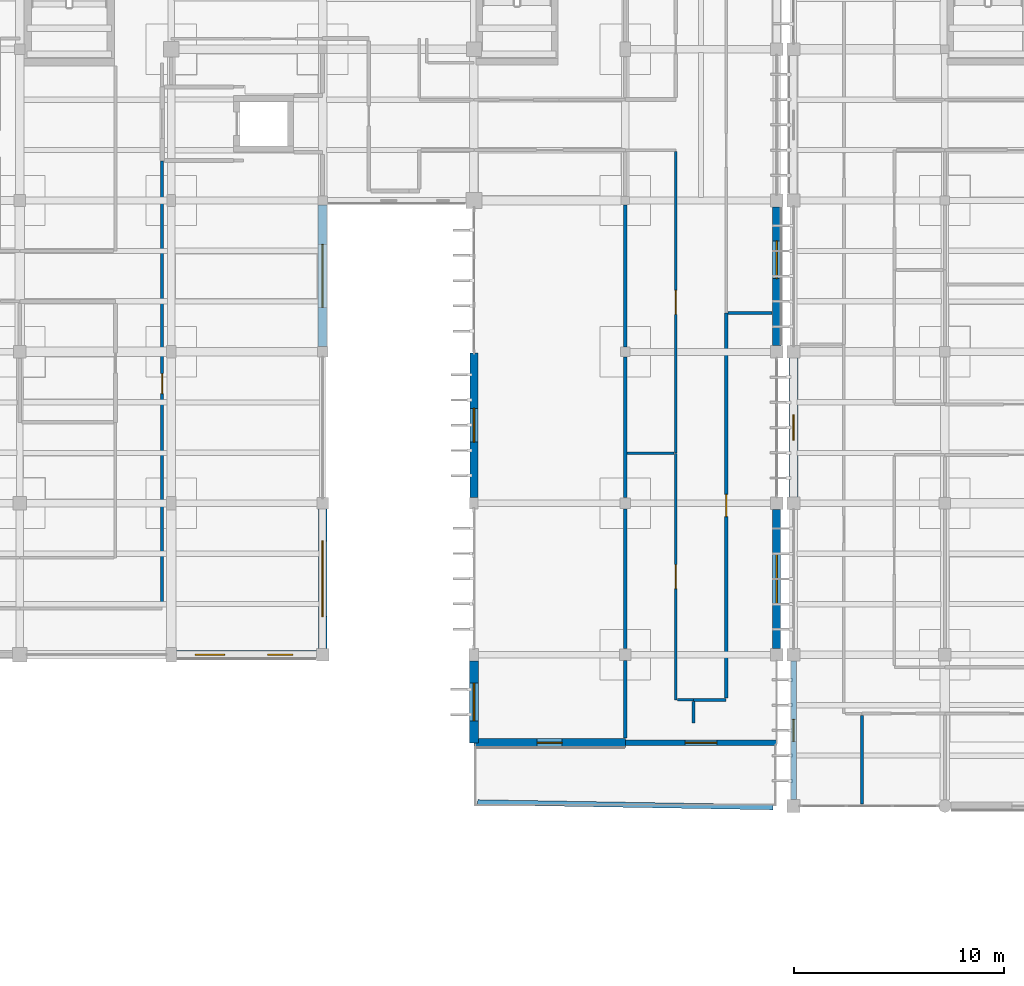
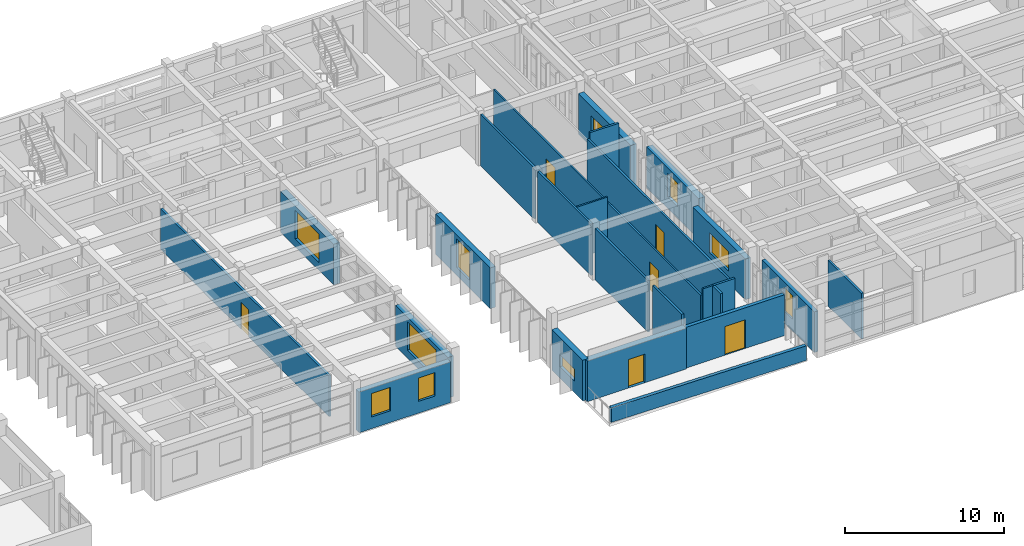
# One storey, part 35 of 55: 26 walls, 10 windows, 6 doors, 16 openings.
"""IFC4 building model written with IfcOpenShell, lengths in metres."""

from ifc_helpers import new_model, si_unit, direction, frame, frame_2d, origin, place, context, subcontext, project, spatial, rectangle, extrude, material, layer, layer_set, type_object, element, fill, save


model = new_model("IFC4")

# Units and contexts
model_context = context("Model", 3, precision=1e-05, world=origin(), true_north=direction((0.0, 1.0)))
body_context = subcontext(model_context, "Body", "Model", "MODEL_VIEW")
ifc_project = project(units=[si_unit("LENGTHUNIT", "METRE"), si_unit("AREAUNIT", "SQUARE_METRE"), si_unit("VOLUMEUNIT", "CUBIC_METRE"), si_unit("PLANEANGLEUNIT", "RADIAN"), si_unit("MASSUNIT", "GRAM", prefix="KILO")], contexts=[model_context])

# Site, building, storey
site_placement = place(None, origin())
site = spatial("IfcSite", under=ifc_project, at=site_placement, CompositionType="ELEMENT")
building_placement = place(site_placement, origin())
building = spatial("IfcBuilding", under=site, at=building_placement, Name="Steenspoor Specialist Clinic", CompositionType="ELEMENT")
storey_placement = place(building_placement, frame((0.0, 0.0, 13.199951171875)))
storey = spatial("IfcBuildingStorey", under=building, at=storey_placement, Name="L03", CompositionType="ELEMENT", Elevation=13.199951171875)

# Wall, opening, window
ifc_material_1 = material(Name="Extruded clay brick masonry", Category="masonry")
ifc_layer_1 = layer(ifc_material_1, 0.3798828125)
ifc_layer_set_1 = layer_set([ifc_layer_1], Name="Extruded clay brick masonry")
wall_type_1 = type_object("IfcWallType", Name="W-BRICK-380", PredefinedType="USERDEFINED", material=ifc_layer_set_1)
wall_1_placement = place(storey_placement, frame((117.199951171875, 79.25, 0.0), z_axis=(0.0, 0.0, 1.0), x_axis=(0.0, -1.0, 0.0)))
wall_1 = element("IfcWall", 1, at=wall_1_placement, inside=storey, type_object=wall_type_1, Name="Exterior Brick Wall EW-V4-L03-0175", ObjectType="CAVITY VENEER", PredefinedType="USERDEFINED", context=body_context, shape_type="SweptSolid", body=[
    extrude(rectangle(XDim=6.60009765625, YDim=0.3798828125, at=frame_2d((3.300048828125, 0.0))), origin(), (0.0, 0.0, 1.0), 3.130126953125),
])
opening_1_placement = place(wall_1_placement, frame((2.10009765625, 0.0, 0.89990234375)))
opening_1 = element("IfcOpeningElement", 2, at=opening_1_placement, cuts=wall_1, Name="Opening WN-14", PredefinedType="OPENING", context=body_context, shape_type="SweptSolid", body=[
    extrude(rectangle(XDim=2.39990234375, YDim=1.5, at=frame_2d((1.199951171875, 0.75))), frame((0.0, 0.199951171875, 0.0), z_axis=(0.0, -1.0, 0.0), x_axis=(1.0, 0.0, 0.0)), (0.0, 0.0, 1.0), 0.39990234375),
])
ifc_material_2 = material(Name="Thermally broken aluminium and low-emissivity glass", Category="aluminium")
window_type_1 = type_object("IfcWindowType", Name="WN-EXT-240X150", PartitioningType="SINGLE_PANEL", PredefinedType="WINDOW", material=ifc_material_2)
window_1_placement = place(opening_1_placement, origin())
window_1 = element("IfcWindow", 3, at=window_1_placement, inside=storey, type_object=window_type_1, Name="Window 0203", OverallHeight=1.5, OverallWidth=2.39990234375, PartitioningType="SINGLE_PANEL", PredefinedType="WINDOW", context=body_context, shape_type="SweptSolid", body=[
    extrude(rectangle(XDim=2.39990234375, YDim=1.5, at=frame_2d((1.199951171875, 0.75))), frame((0.0, 0.030029296875, 0.0), z_axis=(0.0, -1.0, 0.0), x_axis=(1.0, 0.0, 0.0)), (0.0, 0.0, 1.0), 0.06005859375),
])
fill(opening_1, window_1)

wall_2_placement = place(storey_placement, frame((102.800048828125, 79.824951171875, 0.0), z_axis=(0.0, 0.0, 1.0), x_axis=(0.0, 1.0, 0.0)))
wall_2 = element("IfcWall", 4, at=wall_2_placement, inside=storey, type_object=wall_type_1, Name="Exterior Brick Wall EW-V4-L03-0179", ObjectType="CAVITY VENEER", PredefinedType="USERDEFINED", context=body_context, shape_type="SweptSolid", body=[
    extrude(rectangle(XDim=6.875, YDim=0.3798828125, at=frame_2d((3.4375, 0.0))), origin(), (0.0, 0.0, 1.0), 3.130126953125),
])
opening_2_placement = place(wall_2_placement, frame((2.637451171875, 0.0, 0.60009765625)))
opening_2 = element("IfcOpeningElement", 5, at=opening_2_placement, cuts=wall_2, Name="Opening WN-16", PredefinedType="OPENING", context=body_context, shape_type="SweptSolid", body=[
    extrude(rectangle(XDim=1.60009765625, YDim=2.199951171875, at=frame_2d((0.800048828125, 1.10009765625))), frame((0.0, 0.199951171875, 0.0), z_axis=(0.0, -1.0, 0.0), x_axis=(1.0, 0.0, 0.0)), (0.0, 0.0, 1.0), 0.39990234375),
])
window_type_2 = type_object("IfcWindowType", Name="WN-EXT-160X220", PartitioningType="SINGLE_PANEL", PredefinedType="WINDOW", material=ifc_material_2)
window_2_placement = place(opening_2_placement, origin())
window_2 = element("IfcWindow", 6, at=window_2_placement, inside=storey, type_object=window_type_2, Name="Window 0205", OverallHeight=2.199951171875, OverallWidth=1.60009765625, PartitioningType="SINGLE_PANEL", PredefinedType="WINDOW", context=body_context, shape_type="SweptSolid", body=[
    extrude(rectangle(XDim=1.60009765625, YDim=2.199951171875, at=frame_2d((0.800048828125, 1.10009765625))), frame((0.0, 0.030029296875, 0.0), z_axis=(0.0, -1.0, 0.0), x_axis=(1.0, 0.0, 0.0)), (0.0, 0.0, 1.0), 0.06005859375),
])
fill(opening_2, window_2)

# Wall, openings, windows
wall_3_placement = place(storey_placement, frame((95.300048828125, 72.35009765625, 0.0), z_axis=(0.0, 0.0, 1.0), x_axis=(-1.0, 0.0, 0.0)))
wall_3 = element("IfcWall", 7, at=wall_3_placement, inside=storey, type_object=wall_type_1, Name="Exterior Brick Wall EW-V4-L03-0183", ObjectType="CAVITY VENEER", PredefinedType="USERDEFINED", context=body_context, shape_type="SweptSolid", body=[
    extrude(rectangle(XDim=6.650146484375, YDim=0.3798828125, at=frame_2d((3.3251953125, 0.0))), origin(), (0.0, 0.0, 1.0), 3.130126953125),
])
opening_3_placement = place(wall_3_placement, frame((1.114990234375, 0.0, 0.89990234375)))
opening_3 = element("IfcOpeningElement", 8, at=opening_3_placement, cuts=wall_3, Name="Opening WN-05", PredefinedType="OPENING", context=body_context, shape_type="SweptSolid", body=[
    extrude(rectangle(XDim=1.199951171875, YDim=1.800048828125, at=frame_2d((0.60009765625, 0.89990234375))), frame((0.0, 0.199951171875, 0.0), z_axis=(0.0, -1.0, 0.0), x_axis=(1.0, 0.0, 0.0)), (0.0, 0.0, 1.0), 0.39990234375),
])
opening_4_placement = place(wall_3_placement, frame((4.360107421875, 0.0, 0.89990234375)))
opening_4 = element("IfcOpeningElement", 9, at=opening_4_placement, cuts=wall_3, Name="Opening WN-06", PredefinedType="OPENING", context=body_context, shape_type="SweptSolid", body=[
    extrude(rectangle(XDim=1.39990234375, YDim=1.800048828125, at=frame_2d((0.699951171875, 0.89990234375))), frame((0.0, 0.199951171875, 0.0), z_axis=(0.0, -1.0, 0.0), x_axis=(1.0, 0.0, 0.0)), (0.0, 0.0, 1.0), 0.39990234375),
])
window_type_3 = type_object("IfcWindowType", Name="WN-EXT-120X180", PartitioningType="SINGLE_PANEL", PredefinedType="WINDOW", material=ifc_material_2)
window_3_placement = place(opening_3_placement, origin())
window_3 = element("IfcWindow", 10, at=window_3_placement, inside=storey, type_object=window_type_3, Name="Window 0210", OverallHeight=1.800048828125, OverallWidth=1.199951171875, PartitioningType="SINGLE_PANEL", PredefinedType="WINDOW", context=body_context, shape_type="SweptSolid", body=[
    extrude(rectangle(XDim=1.199951171875, YDim=1.800048828125, at=frame_2d((0.60009765625, 0.89990234375))), frame((0.0, 0.030029296875, 0.0), z_axis=(0.0, -1.0, 0.0), x_axis=(1.0, 0.0, 0.0)), (0.0, 0.0, 1.0), 0.06005859375),
])
fill(opening_3, window_3)
window_type_4 = type_object("IfcWindowType", Name="WN-EXT-140X180", PartitioningType="SINGLE_PANEL", PredefinedType="WINDOW", material=ifc_material_2)
window_4_placement = place(opening_4_placement, origin())
window_4 = element("IfcWindow", 11, at=window_4_placement, inside=storey, type_object=window_type_4, Name="Window 0211", OverallHeight=1.800048828125, OverallWidth=1.39990234375, PartitioningType="SINGLE_PANEL", PredefinedType="WINDOW", context=body_context, shape_type="SweptSolid", body=[
    extrude(rectangle(XDim=1.39990234375, YDim=1.800048828125, at=frame_2d((0.699951171875, 0.89990234375))), frame((0.0, 0.030029296875, 0.0), z_axis=(0.0, -1.0, 0.0), x_axis=(1.0, 0.0, 0.0)), (0.0, 0.0, 1.0), 0.06005859375),
])
fill(opening_4, window_4)

# Wall, opening, window
ifc_layer_2 = layer(ifc_material_1, 0.409912109375)
ifc_layer_set_2 = layer_set([ifc_layer_2], Name="Extruded clay brick masonry")
wall_type_2 = type_object("IfcWallType", Name="W-BRICK-410", PredefinedType="USERDEFINED", material=ifc_layer_set_2)
wall_4_placement = place(storey_placement, frame((117.199951171875, 93.64990234375, 0.0), z_axis=(0.0, 0.0, 1.0), x_axis=(0.0, -1.0, 0.0)))
wall_4 = element("IfcWall", 12, at=wall_4_placement, inside=storey, type_object=wall_type_2, Name="Exterior Brick Wall EW-V4-L03-0174", ObjectType="CAVITY VENEER", PredefinedType="USERDEFINED", context=body_context, shape_type="SweptSolid", body=[
    extrude(rectangle(XDim=6.599853515625, YDim=0.409912109375, at=frame_2d((3.2998046875, 0.0))), origin(), (0.0, 0.0, 1.0), 3.130126953125),
])
opening_5_placement = place(wall_4_placement, frame((1.614990234375, 0.0, 0.89990234375)))
opening_5 = element("IfcOpeningElement", 13, at=opening_5_placement, cuts=wall_4, Name="Opening WN-13", PredefinedType="OPENING", context=body_context, shape_type="SweptSolid", body=[
    extrude(rectangle(XDim=1.800048828125, YDim=1.5, at=frame_2d((0.89990234375, 0.75))), frame((0.0, 0.21484375, 0.0), z_axis=(0.0, -1.0, 0.0), x_axis=(1.0, 0.0, 0.0)), (0.0, 0.0, 1.0), 0.429931640625),
])
window_type_5 = type_object("IfcWindowType", Name="WN-EXT-180X150", PartitioningType="SINGLE_PANEL", PredefinedType="WINDOW", material=ifc_material_2)
window_5_placement = place(opening_5_placement, origin())
window_5 = element("IfcWindow", 14, at=window_5_placement, inside=storey, type_object=window_type_5, Name="Window 0202", OverallHeight=1.5, OverallWidth=1.800048828125, PartitioningType="SINGLE_PANEL", PredefinedType="WINDOW", context=body_context, shape_type="SweptSolid", body=[
    extrude(rectangle(XDim=1.800048828125, YDim=1.5, at=frame_2d((0.89990234375, 0.75))), frame((0.0, 0.030029296875, 0.0), z_axis=(0.0, -1.0, 0.0), x_axis=(1.0, 0.0, 0.0)), (0.0, 0.0, 1.0), 0.06005859375),
])
fill(opening_5, window_5)

wall_5_placement = place(storey_placement, frame((102.800048828125, 68.14990234375, 0.0), z_axis=(0.0, 0.0, 1.0), x_axis=(0.0, 1.0, 0.0)))
wall_5 = element("IfcWall", 15, at=wall_5_placement, inside=storey, type_object=wall_type_2, Name="Exterior Brick Wall EW-V4-L03-0178", ObjectType="CAVITY VENEER", PredefinedType="USERDEFINED", context=body_context, shape_type="SweptSolid", body=[
    extrude(rectangle(XDim=3.900146484375, YDim=0.409912109375, at=frame_2d((1.9501953125, 0.0))), origin(), (0.0, 0.0, 1.0), 3.130126953125),
])
opening_6_placement = place(wall_5_placement, frame((1.050048828125, 0.0, 0.89990234375)))
opening_6 = element("IfcOpeningElement", 16, at=opening_6_placement, cuts=wall_5, Name="Opening WN-22", PredefinedType="OPENING", context=body_context, shape_type="SweptSolid", body=[
    extrude(rectangle(XDim=1.800048828125, YDim=0.89990234375, at=frame_2d((0.89990234375, 0.449951171875))), frame((0.0, 0.21484375, 0.0), z_axis=(0.0, -1.0, 0.0), x_axis=(1.0, 0.0, 0.0)), (0.0, 0.0, 1.0), 0.429931640625),
])
window_type_6 = type_object("IfcWindowType", Name="WN-EXT-180X090", PartitioningType="SINGLE_PANEL", PredefinedType="WINDOW", material=ifc_material_2)
window_6_placement = place(opening_6_placement, origin())
window_6 = element("IfcWindow", 17, at=window_6_placement, inside=storey, type_object=window_type_6, Name="Window 0204", OverallHeight=0.89990234375, OverallWidth=1.800048828125, PartitioningType="SINGLE_PANEL", PredefinedType="WINDOW", context=body_context, shape_type="SweptSolid", body=[
    extrude(rectangle(XDim=1.800048828125, YDim=0.89990234375, at=frame_2d((0.89990234375, 0.449951171875))), frame((0.0, 0.030029296875, 0.0), z_axis=(0.0, -1.0, 0.0), x_axis=(1.0, 0.0, 0.0)), (0.0, 0.0, 1.0), 0.06005859375),
])
fill(opening_6, window_6)

wall_6_placement = place(storey_placement, frame((95.60009765625, 79.27490234375, 0.0), z_axis=(0.0, 0.0, 1.0), x_axis=(0.0, -1.0, 0.0)))
wall_6 = element("IfcWall", 18, at=wall_6_placement, inside=storey, type_object=wall_type_2, Name="Exterior Brick Wall EW-V4-L03-0182", ObjectType="CAVITY VENEER", PredefinedType="USERDEFINED", context=body_context, shape_type="SweptSolid", body=[
    extrude(rectangle(XDim=6.625, YDim=0.409912109375, at=frame_2d((3.3125, 0.0))), origin(), (0.0, 0.0, 1.0), 3.130126953125),
])
opening_7_placement = place(wall_6_placement, frame((1.512451171875, 0.0, 0.60009765625)))
opening_7 = element("IfcOpeningElement", 19, at=opening_7_placement, cuts=wall_6, Name="Opening WN-20", PredefinedType="OPENING", context=body_context, shape_type="SweptSolid", body=[
    extrude(rectangle(XDim=3.60009765625, YDim=2.199951171875, at=frame_2d((1.800048828125, 1.10009765625))), frame((0.0, 0.21484375, 0.0), z_axis=(0.0, -1.0, 0.0), x_axis=(1.0, 0.0, 0.0)), (0.0, 0.0, 1.0), 0.429931640625),
])
window_type_7 = type_object("IfcWindowType", Name="WN-EXT-360X220", PartitioningType="SINGLE_PANEL", PredefinedType="WINDOW", material=ifc_material_2)
window_7_placement = place(opening_7_placement, origin())
window_7 = element("IfcWindow", 20, at=window_7_placement, inside=storey, type_object=window_type_7, Name="Window 0209", OverallHeight=2.199951171875, OverallWidth=3.60009765625, PartitioningType="SINGLE_PANEL", PredefinedType="WINDOW", context=body_context, shape_type="SweptSolid", body=[
    extrude(rectangle(XDim=3.60009765625, YDim=2.199951171875, at=frame_2d((1.800048828125, 1.10009765625))), frame((0.0, 0.030029296875, 0.0), z_axis=(0.0, -1.0, 0.0), x_axis=(1.0, 0.0, 0.0)), (0.0, 0.0, 1.0), 0.06005859375),
])
fill(opening_7, window_7)

# Wall, opening, door
ifc_layer_3 = layer(ifc_material_1, 0.43994140625)
ifc_layer_set_3 = layer_set([ifc_layer_3], Name="Extruded clay brick masonry")
wall_type_3 = type_object("IfcWallType", Name="W-BRICK-440", PredefinedType="USERDEFINED", material=ifc_layer_set_3)
wall_7_placement = place(storey_placement, frame((110.0, 68.14990234375, 0.0), z_axis=(0.0, 0.0, 1.0), x_axis=(-1.0, 0.0, 0.0)))
wall_7 = element("IfcWall", 21, at=wall_7_placement, inside=storey, type_object=wall_type_3, Name="Exterior Brick Wall EW-V4-L03-0177", ObjectType="CAVITY VENEER", PredefinedType="USERDEFINED", context=body_context, shape_type="SweptSolid", body=[
    extrude(rectangle(XDim=7.199951171875, YDim=0.43994140625, at=frame_2d((3.60009765625, 0.0))), origin(), (0.0, 0.0, 1.0), 3.130126953125),
])
opening_8_placement = place(wall_7_placement, frame((3.0, 0.0, 0.0)))
opening_8 = element("IfcOpeningElement", 22, at=opening_8_placement, cuts=wall_7, Name="Opening ED23", PredefinedType="OPENING", context=body_context, shape_type="SweptSolid", body=[
    extrude(rectangle(XDim=1.199951171875, YDim=2.199951171875, at=frame_2d((0.60009765625, 1.10009765625))), frame((0.0, 0.22998046875, 0.0), z_axis=(0.0, -1.0, 0.0), x_axis=(1.0, 0.0, 0.0)), (0.0, 0.0, 1.0), 0.4599609375),
])
ifc_material_3 = material(Name="Anodised aluminium and safety glass", Category="aluminium")
door_type_1 = type_object("IfcDoorType", Name="DT-TERR-120X220", OperationType="NOTDEFINED", PredefinedType="DOOR", material=ifc_material_3)
door_1_placement = place(opening_8_placement, origin())
door_1 = element("IfcDoor", 23, at=door_1_placement, inside=storey, type_object=door_type_1, Name="Roof Terrace Door ED23", OperationType="SINGLE_SWING_RIGHT", OverallHeight=2.199951171875, OverallWidth=1.199951171875, PredefinedType="DOOR", context=body_context, shape_type="SweptSolid", body=[
    extrude(rectangle(XDim=1.199951171875, YDim=2.199951171875, at=frame_2d((0.60009765625, 1.10009765625))), frame((0.0, 0.02490234375, 0.0), z_axis=(0.0, -1.0, 0.0), x_axis=(1.0, 0.0, 0.0)), (0.0, 0.0, 1.0), 0.050048828125),
])
fill(opening_8, door_1)

# Wall, opening, window
wall_8_placement = place(storey_placement, frame((95.60009765625, 93.72509765625, 0.0), z_axis=(0.0, 0.0, 1.0), x_axis=(0.0, -1.0, 0.0)))
wall_8 = element("IfcWall", 24, at=wall_8_placement, inside=storey, type_object=wall_type_3, Name="Exterior Brick Wall EW-V4-L03-0181", ObjectType="CAVITY VENEER", PredefinedType="USERDEFINED", context=body_context, shape_type="SweptSolid", body=[
    extrude(rectangle(XDim=6.72509765625, YDim=0.43994140625, at=frame_2d((3.362548828125, 0.0))), origin(), (0.0, 0.0, 1.0), 3.130126953125),
])
opening_9_placement = place(wall_8_placement, frame((1.862548828125, 0.0, 0.60009765625)))
opening_9 = element("IfcOpeningElement", 25, at=opening_9_placement, cuts=wall_8, Name="Opening WN-19", PredefinedType="OPENING", context=body_context, shape_type="SweptSolid", body=[
    extrude(rectangle(XDim=3.0, YDim=2.199951171875, at=frame_2d((1.5, 1.10009765625))), frame((0.0, 0.22998046875, 0.0), z_axis=(0.0, -1.0, 0.0), x_axis=(1.0, 0.0, 0.0)), (0.0, 0.0, 1.0), 0.4599609375),
])
window_type_8 = type_object("IfcWindowType", Name="WN-EXT-300X220", PartitioningType="SINGLE_PANEL", PredefinedType="WINDOW", material=ifc_material_2)
window_8_placement = place(opening_9_placement, origin())
window_8 = element("IfcWindow", 26, at=window_8_placement, inside=storey, type_object=window_type_8, Name="Window 0208", OverallHeight=2.199951171875, OverallWidth=3.0, PartitioningType="SINGLE_PANEL", PredefinedType="WINDOW", context=body_context, shape_type="SweptSolid", body=[
    extrude(rectangle(XDim=3.0, YDim=2.199951171875, at=frame_2d((1.5, 1.10009765625))), frame((0.0, 0.030029296875, 0.0), z_axis=(0.0, -1.0, 0.0), x_axis=(1.0, 0.0, 0.0)), (0.0, 0.0, 1.0), 0.06005859375),
])
fill(opening_9, window_8)

wall_9_placement = place(storey_placement, frame((118.0, 79.85009765625, 0.0), z_axis=(0.0, 0.0, 1.0), x_axis=(0.0, 1.0, 0.0)))
wall_9 = element("IfcWall", 27, at=wall_9_placement, inside=storey, type_object=wall_type_3, Name="Exterior Brick Wall EW-V6-L03-0341", ObjectType="CAVITY VENEER", PredefinedType="USERDEFINED", context=body_context, shape_type="SweptSolid", body=[
    extrude(rectangle(XDim=6.599853515625, YDim=0.43994140625, at=frame_2d((3.2998046875, 0.0))), origin(), (0.0, 0.0, 1.0), 3.130126953125),
])
opening_10_placement = place(wall_9_placement, frame((2.699951171875, 0.0, 0.89990234375)))
opening_10 = element("IfcOpeningElement", 28, at=opening_10_placement, cuts=wall_9, Name="Opening WN-05", PredefinedType="OPENING", context=body_context, shape_type="SweptSolid", body=[
    extrude(rectangle(XDim=1.199951171875, YDim=1.800048828125, at=frame_2d((0.60009765625, 0.89990234375))), frame((0.0, 0.22998046875, 0.0), z_axis=(0.0, -1.0, 0.0), x_axis=(1.0, 0.0, 0.0)), (0.0, 0.0, 1.0), 0.4599609375),
])
window_9_placement = place(opening_10_placement, origin())
window_9 = element("IfcWindow", 29, at=window_9_placement, inside=storey, type_object=window_type_3, Name="Window 0362", OverallHeight=1.800048828125, OverallWidth=1.199951171875, PartitioningType="SINGLE_PANEL", PredefinedType="WINDOW", context=body_context, shape_type="SweptSolid", body=[
    extrude(rectangle(XDim=1.199951171875, YDim=1.800048828125, at=frame_2d((0.60009765625, 0.89990234375))), frame((0.0, 0.030029296875, 0.0), z_axis=(0.0, -1.0, 0.0), x_axis=(1.0, 0.0, 0.0)), (0.0, 0.0, 1.0), 0.06005859375),
])
fill(opening_10, window_9)

# Wall
ifc_material_4 = material(Name="Gypsum acoustic clinical partition", Category="gypsum")
ifc_layer_4 = layer(ifc_material_4, 0.14990234375)
ifc_layer_set_4 = layer_set([ifc_layer_4], Name="Gypsum acoustic clinical partition")
wall_type_4 = type_object("IfcWallType", Name="W-CLIN-150", PredefinedType="PARTITIONING", material=ifc_layer_set_4)
wall_10_placement = place(storey_placement, frame((113.25, 70.199951171875, 0.0), z_axis=(0.0, 0.0, 1.0), x_axis=(1.0, 0.0, 0.0)))
element("IfcWall", 30, at=wall_10_placement, inside=storey, type_object=wall_type_4, Name="Interior Partition IW-V4-L03-1567", PredefinedType="PARTITIONING", context=body_context, shape_type="SweptSolid", body=[
    extrude(rectangle(XDim=1.550048828125, YDim=0.14990234375, at=frame_2d((0.77490234375, 0.0))), origin(), (0.0, 0.0, 1.0), 3.949951171875),
])

# Wall, opening, door
wall_11_placement = place(storey_placement, frame((114.800048828125, 70.2900390625, 0.0), z_axis=(0.0, 0.0, 1.0), x_axis=(0.0, 1.0, 0.0)))
wall_11 = element("IfcWall", 31, at=wall_11_placement, inside=storey, type_object=wall_type_4, Name="Interior Partition IW-V4-L03-1568", PredefinedType="PARTITIONING", context=body_context, shape_type="SweptSolid", body=[
    extrude(rectangle(XDim=18.31005859375, YDim=0.14990234375, at=frame_2d((9.155029296875, 0.0))), origin(), (0.0, 0.0, 1.0), 3.47998046875),
])
opening_11_placement = place(wall_11_placement, frame((8.6298828125, 0.0, 0.0)))
opening_11 = element("IfcOpeningElement", 32, at=opening_11_placement, cuts=wall_11, Name="Opening D0262", PredefinedType="OPENING", context=body_context, shape_type="SweptSolid", body=[
    extrude(rectangle(XDim=1.050048828125, YDim=2.14990234375, at=frame_2d((0.52490234375, 1.074951171875))), frame((0.0, 0.0849609375, 0.0), z_axis=(0.0, -1.0, 0.0), x_axis=(1.0, 0.0, 0.0)), (0.0, 0.0, 1.0), 0.169921875),
])
ifc_material_5 = material(Name="Solid-core hardwood office door", Category="wood")
door_type_2 = type_object("IfcDoorType", Name="DT-OFF-105X215", OperationType="NOTDEFINED", PredefinedType="DOOR", material=ifc_material_5)
door_2_placement = place(opening_11_placement, origin())
door_2 = element("IfcDoor", 33, at=door_2_placement, inside=storey, type_object=door_type_2, Name="Clinical Door D0262", OperationType="SINGLE_SWING_LEFT", OverallHeight=2.14990234375, OverallWidth=1.050048828125, PredefinedType="DOOR", context=body_context, shape_type="SweptSolid", body=[
    extrude(rectangle(XDim=1.050048828125, YDim=2.14990234375, at=frame_2d((0.52490234375, 1.074951171875))), frame((0.0, 0.02490234375, 0.0), z_axis=(0.0, -1.0, 0.0), x_axis=(1.0, 0.0, 0.0)), (0.0, 0.0, 1.0), 0.050048828125),
])
fill(opening_11, door_2)

wall_12_placement = place(storey_placement, frame((87.969970703125, 74.639892578125, 0.0), z_axis=(0.0, 0.0, 1.0), x_axis=(0.0, 1.0, 0.0)))
wall_12 = element("IfcWall", 34, at=wall_12_placement, inside=storey, type_object=wall_type_4, Name="Interior Partition IW-V4-L03-1571", PredefinedType="PARTITIONING", context=body_context, shape_type="SweptSolid", body=[
    extrude(rectangle(XDim=21.195068359375, YDim=0.14990234375, at=frame_2d((10.59765625, 0.0))), origin(), (0.0, 0.0, 1.0), 3.135009765625),
])
opening_12_placement = place(wall_12_placement, frame((10.12255859375, 0.0, 0.0)))
opening_12 = element("IfcOpeningElement", 35, at=opening_12_placement, cuts=wall_12, Name="Opening D0264", PredefinedType="OPENING", context=body_context, shape_type="SweptSolid", body=[
    extrude(rectangle(XDim=0.949951171875, YDim=2.10009765625, at=frame_2d((0.47509765625, 1.050048828125))), frame((0.0, 0.0849609375, 0.0), z_axis=(0.0, -1.0, 0.0), x_axis=(1.0, 0.0, 0.0)), (0.0, 0.0, 1.0), 0.169921875),
])
ifc_material_6 = material(Name="Moisture-resistant HPL sanitary door", Category="wood")
door_type_3 = type_object("IfcDoorType", Name="DT-WC-095X210", OperationType="NOTDEFINED", PredefinedType="DOOR", material=ifc_material_6)
door_3_placement = place(opening_12_placement, origin())
door_3 = element("IfcDoor", 36, at=door_3_placement, inside=storey, type_object=door_type_3, Name="Clinical Door D0264", OperationType="SINGLE_SWING_LEFT", OverallHeight=2.10009765625, OverallWidth=0.949951171875, PredefinedType="DOOR", context=body_context, shape_type="SweptSolid", body=[
    extrude(rectangle(XDim=0.949951171875, YDim=2.10009765625, at=frame_2d((0.47509765625, 1.050048828125))), frame((0.0, 0.02490234375, 0.0), z_axis=(0.0, -1.0, 0.0), x_axis=(1.0, 0.0, 0.0)), (0.0, 0.0, 1.0), 0.050048828125),
])
fill(opening_12, door_3)

# Walls
wall_13_placement = place(storey_placement, frame((110.0, 68.385009765625, 0.0), z_axis=(0.0, 0.0, 1.0), x_axis=(0.0, 1.0, 0.0)))
element("IfcWall", 37, at=wall_13_placement, inside=storey, type_object=wall_type_4, Name="Interior Partition IW-V4-L03-1728", PredefinedType="PARTITIONING", context=body_context, shape_type="SweptSolid", body=[
    extrude(rectangle(XDim=3.675048828125, YDim=0.14990234375, at=frame_2d((1.83740234375, 0.0))), origin(), (0.0, 0.0, 1.0), 3.949951171875),
])
wall_14_placement = place(storey_placement, frame((110.0, 72.639892578125, 0.0), z_axis=(0.0, 0.0, 1.0), x_axis=(0.0, 1.0, 0.0)))
element("IfcWall", 38, at=wall_14_placement, inside=storey, type_object=wall_type_4, Name="Interior Partition IW-V4-L03-1729", PredefinedType="PARTITIONING", context=body_context, shape_type="SweptSolid", body=[
    extrude(rectangle(XDim=6.64501953125, YDim=0.14990234375, at=frame_2d((3.322509765625, 0.0))), origin(), (0.0, 0.0, 1.0), 3.949951171875),
])
wall_15_placement = place(storey_placement, frame((110.0, 79.81494140625, 0.0), z_axis=(0.0, 0.0, 1.0), x_axis=(0.0, 1.0, 0.0)))
element("IfcWall", 39, at=wall_15_placement, inside=storey, type_object=wall_type_4, Name="Interior Partition IW-V4-L03-1730", PredefinedType="PARTITIONING", context=body_context, shape_type="SweptSolid", body=[
    extrude(rectangle(XDim=6.695068359375, YDim=0.14990234375, at=frame_2d((3.34765625, 0.0))), origin(), (0.0, 0.0, 1.0), 3.949951171875),
])
wall_16_placement = place(storey_placement, frame((110.0, 86.989990234375, 0.0), z_axis=(0.0, 0.0, 1.0), x_axis=(0.0, 1.0, 0.0)))
element("IfcWall", 40, at=wall_16_placement, inside=storey, type_object=wall_type_4, Name="Interior Partition IW-V4-L03-1731", PredefinedType="PARTITIONING", context=body_context, shape_type="SweptSolid", body=[
    extrude(rectangle(XDim=6.7451171875, YDim=0.14990234375, at=frame_2d((3.37255859375, 0.0))), origin(), (0.0, 0.0, 1.0), 3.949951171875),
])
wall_17_placement = place(storey_placement, frame((113.25, 69.110107421875, 0.0), z_axis=(0.0, 0.0, 1.0), x_axis=(0.0, 1.0, 0.0)))
element("IfcWall", 41, at=wall_17_placement, inside=storey, type_object=wall_type_4, Name="Interior Partition IW-V4-L03-1733", PredefinedType="PARTITIONING", context=body_context, shape_type="SweptSolid", body=[
    extrude(rectangle(XDim=1.0, YDim=0.14990234375, at=frame_2d((0.5, 0.0))), origin(), (0.0, 0.0, 1.0), 3.949951171875),
])
wall_18_placement = place(storey_placement, frame((114.889892578125, 88.60009765625, 0.0), z_axis=(0.0, 0.0, 1.0), x_axis=(1.0, 0.0, 0.0)))
element("IfcWall", 42, at=wall_18_placement, inside=storey, type_object=wall_type_4, Name="Interior Partition IW-V4-L03-1734", PredefinedType="PARTITIONING", context=body_context, shape_type="SweptSolid", body=[
    extrude(rectangle(XDim=2.090087890625, YDim=0.14990234375, at=frame_2d((1.044921875, 0.0))), origin(), (0.0, 0.0, 1.0), 3.949951171875),
])
wall_19_placement = place(storey_placement, frame((121.25, 65.2548828125, 0.0), z_axis=(0.0, 0.0, 1.0), x_axis=(0.0, 1.0, 0.0)))
element("IfcWall", 43, at=wall_19_placement, inside=storey, type_object=wall_type_4, Name="Interior Partition IW-V6-L03-1754", PredefinedType="PARTITIONING", context=body_context, shape_type="SweptSolid", body=[
    extrude(rectangle(XDim=4.205078125, YDim=0.14990234375, at=frame_2d((2.1025390625, 0.0))), origin(), (0.0, 0.0, 1.0), 3.51513671875),
])
ifc_layer_5 = layer(ifc_material_1, 0.239990234375)
ifc_layer_set_5 = layer_set([ifc_layer_5], Name="Extruded clay brick masonry")
wall_type_5 = type_object("IfcWallType", Name="W-PARAPET-240", PredefinedType="PARAPET", material=ifc_layer_set_5)
wall_20_placement = place(storey_placement, frame((102.97998046875, 65.330078125, 0.0), z_axis=(0.0, 0.0, 1.0), x_axis=(0.999853941998, -0.01709077737, 0.0)))
element("IfcWall", 44, at=wall_20_placement, inside=storey, type_object=wall_type_5, Name="Terrace Brick Parapet V4 L03 2", PredefinedType="PARAPET", context=body_context, shape_type="SweptSolid", body=[
    extrude(rectangle(XDim=14.0419921875, YDim=0.239990234375, at=frame_2d((7.02099609375, 0.0))), origin(), (0.0, 0.0, 1.0), 1.1201171875),
])

# Wall, opening, door
ifc_material_7 = material(Name="Gypsum studio partition board", Category="gypsum")
ifc_layer_6 = layer(ifc_material_7, 0.1201171875)
ifc_layer_set_6 = layer_set([ifc_layer_6], Name="Gypsum studio partition board")
wall_type_6 = type_object("IfcWallType", Name="W-PART-120", PredefinedType="PARTITIONING", material=ifc_layer_set_6)
wall_21_placement = place(storey_placement, frame((112.39990234375, 70.199951171875, 0.0), z_axis=(0.0, 0.0, 1.0), x_axis=(0.0, 1.0, 0.0)))
wall_21 = element("IfcWall", 45, at=wall_21_placement, inside=storey, type_object=wall_type_6, Name="Interior Partition IW-V4-L03-1636", PredefinedType="PARTITIONING", context=body_context, shape_type="SweptSolid", body=[
    extrude(rectangle(XDim=11.719970703125, YDim=0.1201171875, at=frame_2d((5.85986328125, 0.0))), origin(), (0.0, 0.0, 1.0), 3.47998046875),
])
opening_13_placement = place(wall_21_placement, frame((5.284912109375, 0.0, 0.0)))
opening_13 = element("IfcOpeningElement", 46, at=opening_13_placement, cuts=wall_21, Name="Opening D0261", PredefinedType="OPENING", context=body_context, shape_type="SweptSolid", body=[
    extrude(rectangle(XDim=1.14990234375, YDim=2.14990234375, at=frame_2d((0.574951171875, 1.074951171875))), frame((0.0, 0.070068359375, 0.0), z_axis=(0.0, -1.0, 0.0), x_axis=(1.0, 0.0, 0.0)), (0.0, 0.0, 1.0), 0.14013671875),
])
ifc_material_8 = material(Name="Solid-core hardwood clinical door", Category="wood")
door_type_4 = type_object("IfcDoorType", Name="DT-CONS-115X215", OperationType="NOTDEFINED", PredefinedType="DOOR", material=ifc_material_8)
door_4_placement = place(opening_13_placement, origin())
door_4 = element("IfcDoor", 47, at=door_4_placement, inside=storey, type_object=door_type_4, Name="Clinical Door D0261", OperationType="SINGLE_SWING_RIGHT", OverallHeight=2.14990234375, OverallWidth=1.14990234375, PredefinedType="DOOR", context=body_context, shape_type="SweptSolid", body=[
    extrude(rectangle(XDim=1.14990234375, YDim=2.14990234375, at=frame_2d((0.574951171875, 1.074951171875))), frame((0.0, 0.02490234375, 0.0), z_axis=(0.0, -1.0, 0.0), x_axis=(1.0, 0.0, 0.0)), (0.0, 0.0, 1.0), 0.050048828125),
])
fill(opening_13, door_4)

# Wall
wall_22_placement = place(storey_placement, frame((112.47509765625, 70.199951171875, 0.0), z_axis=(0.0, 0.0, 1.0), x_axis=(1.0, 0.0, 0.0)))
element("IfcWall", 48, at=wall_22_placement, inside=storey, type_object=wall_type_6, Name="Interior Partition IW-V4-L03-1637", PredefinedType="PARTITIONING", context=body_context, shape_type="SweptSolid", body=[
    extrude(rectangle(XDim=0.760009765625, YDim=0.1201171875, at=frame_2d((0.3798828125, 0.0))), origin(), (0.0, 0.0, 1.0), 3.949951171875),
])

# Wall, opening, door
wall_23_placement = place(storey_placement, frame((112.39990234375, 81.93505859375, 0.0), z_axis=(0.0, 0.0, 1.0), x_axis=(0.0, 1.0, 0.0)))
wall_23 = element("IfcWall", 49, at=wall_23_placement, inside=storey, type_object=wall_type_6, Name="Interior Partition IW-V4-L03-1644", PredefinedType="PARTITIONING", context=body_context, shape_type="SweptSolid", body=[
    extrude(rectangle(XDim=14.33984375, YDim=0.1201171875, at=frame_2d((7.169921875, 0.0))), origin(), (0.0, 0.0, 1.0), 3.47998046875),
])
opening_14_placement = place(wall_23_placement, frame((6.594970703125, 0.0, 0.0)))
opening_14 = element("IfcOpeningElement", 50, at=opening_14_placement, cuts=wall_23, Name="Opening D0267", PredefinedType="OPENING", context=body_context, shape_type="SweptSolid", body=[
    extrude(rectangle(XDim=1.14990234375, YDim=2.14990234375, at=frame_2d((0.574951171875, 1.074951171875))), frame((0.0, 0.070068359375, 0.0), z_axis=(0.0, -1.0, 0.0), x_axis=(1.0, 0.0, 0.0)), (0.0, 0.0, 1.0), 0.14013671875),
])
door_5_placement = place(opening_14_placement, origin())
door_5 = element("IfcDoor", 51, at=door_5_placement, inside=storey, type_object=door_type_4, Name="Clinical Door D0267", OperationType="SINGLE_SWING_RIGHT", OverallHeight=2.14990234375, OverallWidth=1.14990234375, PredefinedType="DOOR", context=body_context, shape_type="SweptSolid", body=[
    extrude(rectangle(XDim=1.14990234375, YDim=2.14990234375, at=frame_2d((0.574951171875, 1.074951171875))), frame((0.0, 0.02490234375, 0.0), z_axis=(0.0, -1.0, 0.0), x_axis=(1.0, 0.0, 0.0)), (0.0, 0.0, 1.0), 0.050048828125),
])
fill(opening_14, door_5)

# Wall
wall_24_placement = place(storey_placement, frame((110.090087890625, 81.919921875, 0.0), z_axis=(0.0, 0.0, 1.0), x_axis=(1.0, 0.0, 0.0)))
element("IfcWall", 52, at=wall_24_placement, inside=storey, type_object=wall_type_6, Name="Interior Partition IW-V4-L03-1777", PredefinedType="PARTITIONING", context=body_context, shape_type="SweptSolid", body=[
    extrude(rectangle(XDim=2.23486328125, YDim=0.1201171875, at=frame_2d((1.117431640625, 0.0))), origin(), (0.0, 0.0, 1.0), 3.949951171875),
])

# Wall, opening, door
ifc_layer_7 = layer(ifc_material_1, 0.260009765625)
ifc_layer_set_7 = layer_set([ifc_layer_7], Name="Extruded clay brick masonry")
wall_type_7 = type_object("IfcWallType", Name="W-SCREEN-260", PredefinedType="SOLIDWALL", material=ifc_layer_set_7)
wall_25_placement = place(storey_placement, frame((117.199951171875, 68.14990234375, 0.0), z_axis=(0.0, 0.0, 1.0), x_axis=(-1.0, 0.0, 0.0)))
wall_25 = element("IfcWall", 53, at=wall_25_placement, inside=storey, type_object=wall_type_7, Name="Exterior Brick Wall EW-V4-L03-0176", PredefinedType="SOLIDWALL", context=body_context, shape_type="SweptSolid", body=[
    extrude(rectangle(XDim=7.199951171875, YDim=0.260009765625, at=frame_2d((3.60009765625, 0.0))), origin(), (0.0, 0.0, 1.0), 3.130126953125),
])
opening_15_placement = place(wall_25_placement, frame((2.85009765625, 0.0, 0.0)))
opening_15 = element("IfcOpeningElement", 54, at=opening_15_placement, cuts=wall_25, Name="Opening ED22", PredefinedType="OPENING", context=body_context, shape_type="SweptSolid", body=[
    extrude(rectangle(XDim=1.5, YDim=2.199951171875, at=frame_2d((0.75, 1.10009765625))), frame((0.0, 0.14013671875, 0.0), z_axis=(0.0, -1.0, 0.0), x_axis=(1.0, 0.0, 0.0)), (0.0, 0.0, 1.0), 0.280029296875),
])
door_type_5 = type_object("IfcDoorType", Name="DT-TERR-150X220", OperationType="NOTDEFINED", PredefinedType="DOOR", material=ifc_material_3)
door_6_placement = place(opening_15_placement, origin())
door_6 = element("IfcDoor", 55, at=door_6_placement, inside=storey, type_object=door_type_5, Name="Roof Terrace Door ED22", OperationType="SINGLE_SWING_LEFT", OverallHeight=2.199951171875, OverallWidth=1.5, PredefinedType="DOOR", context=body_context, shape_type="SweptSolid", body=[
    extrude(rectangle(XDim=1.5, YDim=2.199951171875, at=frame_2d((0.75, 1.10009765625))), frame((0.0, 0.02490234375, 0.0), z_axis=(0.0, -1.0, 0.0), x_axis=(1.0, 0.0, 0.0)), (0.0, 0.0, 1.0), 0.050048828125),
])
fill(opening_15, door_6)

# Wall, opening, window
wall_26_placement = place(storey_placement, frame((118.0, 65.449951171875, 0.0), z_axis=(0.0, 0.0, 1.0), x_axis=(0.0, 1.0, 0.0)))
wall_26 = element("IfcWall", 56, at=wall_26_placement, inside=storey, type_object=wall_type_7, Name="Exterior Brick Wall EW-V6-L03-0340", PredefinedType="SOLIDWALL", context=body_context, shape_type="SweptSolid", body=[
    extrude(rectangle(XDim=6.60009765625, YDim=0.260009765625, at=frame_2d((3.300048828125, 0.0))), origin(), (0.0, 0.0, 1.0), 3.130126953125),
])
opening_16_placement = place(wall_26_placement, frame((2.77490234375, 0.0, 0.89990234375)))
opening_16 = element("IfcOpeningElement", 57, at=opening_16_placement, cuts=wall_26, Name="Opening WN-04", PredefinedType="OPENING", context=body_context, shape_type="SweptSolid", body=[
    extrude(rectangle(XDim=1.050048828125, YDim=1.800048828125, at=frame_2d((0.52490234375, 0.89990234375))), frame((0.0, 0.14013671875, 0.0), z_axis=(0.0, -1.0, 0.0), x_axis=(1.0, 0.0, 0.0)), (0.0, 0.0, 1.0), 0.280029296875),
])
window_type_9 = type_object("IfcWindowType", Name="WN-EXT-105X180", PartitioningType="SINGLE_PANEL", PredefinedType="WINDOW", material=ifc_material_2)
window_10_placement = place(opening_16_placement, origin())
window_10 = element("IfcWindow", 58, at=window_10_placement, inside=storey, type_object=window_type_9, Name="Window 0361", OverallHeight=1.800048828125, OverallWidth=1.050048828125, PartitioningType="SINGLE_PANEL", PredefinedType="WINDOW", context=body_context, shape_type="SweptSolid", body=[
    extrude(rectangle(XDim=1.050048828125, YDim=1.800048828125, at=frame_2d((0.52490234375, 0.89990234375))), frame((0.0, 0.030029296875, 0.0), z_axis=(0.0, -1.0, 0.0), x_axis=(1.0, 0.0, 0.0)), (0.0, 0.0, 1.0), 0.06005859375),
])
fill(opening_16, window_10)

save(model, "model.ifc")
